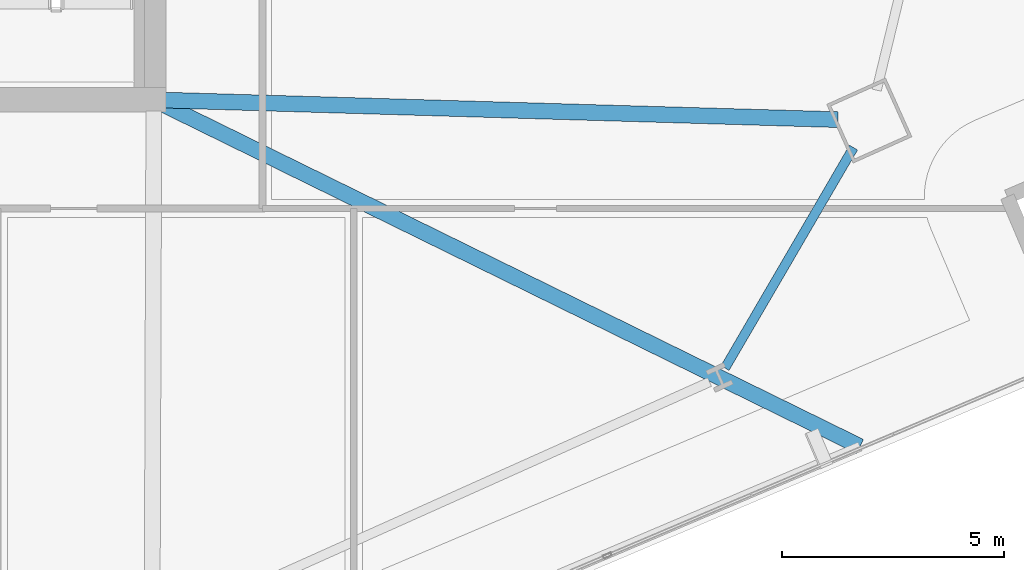
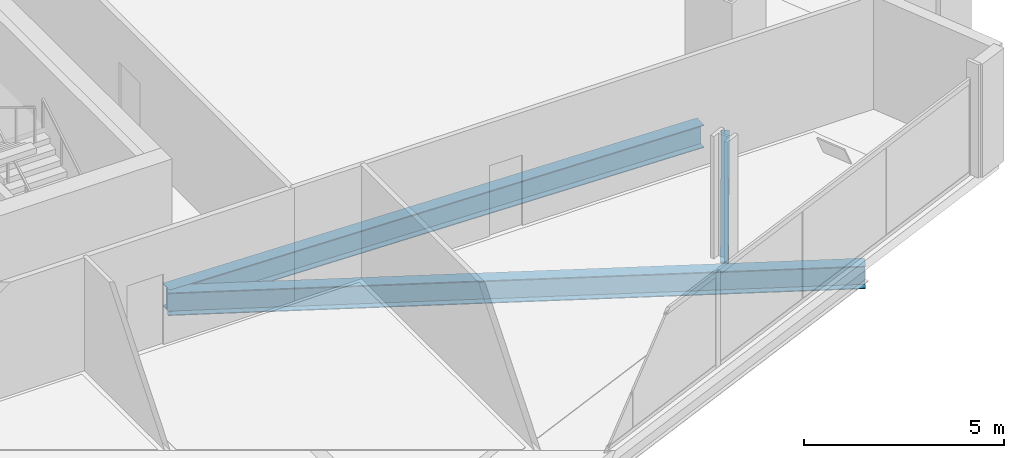
# One storey, part 11 of 34: 3 beams.
"""IFC4 building model written with IfcOpenShell, lengths in metres."""

from ifc_helpers import new_model, si_unit, direction, frame, origin, origin_2d, place, context, subcontext, project, spatial, i_section, extrude, material, material_profile, profile_set, type_object, element, save


model = new_model("IFC4")

# Units and contexts
model_context = context("Model", 3, precision=1e-05, world=origin(), true_north=direction((0.0, 1.0)))
body_context = subcontext(model_context, "Body", "Model", "MODEL_VIEW")
ifc_project = project(units=[si_unit("LENGTHUNIT", "METRE"), si_unit("AREAUNIT", "SQUARE_METRE"), si_unit("VOLUMEUNIT", "CUBIC_METRE"), si_unit("PLANEANGLEUNIT", "RADIAN"), si_unit("MASSUNIT", "GRAM", prefix="KILO")], contexts=[model_context])

# Site, building, storey
site_placement = place(None, origin())
site = spatial("IfcSite", under=ifc_project, at=site_placement, CompositionType="ELEMENT")
building_placement = place(site_placement, origin())
building = spatial("IfcBuilding", under=site, at=building_placement, Name="Haldenkirk Collegiate Tower", CompositionType="ELEMENT")
storey_placement = place(building_placement, frame((0.0, 0.0, 105.449951171875)))
storey = spatial("IfcBuildingStorey", under=building, at=storey_placement, Name="L25", CompositionType="ELEMENT", Elevation=105.449951171875)

# Beams
ifc_material = material(Name="Steel ASTM A992 Grade 50", Category="steel")
ifc_material_profile_1 = material_profile(ifc_material, i_section(OverallWidth=0.35498046875, OverallDepth=0.696044921875, WebThickness=0.015380859375, FlangeThickness=0.02490234375, at=origin_2d()), Name="W27X146")
ifc_profile_set_1 = profile_set([ifc_material_profile_1], Name="Steel ASTM A992 Grade 50")
beam_type_1 = type_object("IfcBeamType", Name="BM-GIRDER-W27X146", PredefinedType="BEAM", material=ifc_profile_set_1)
beam_1_placement = place(storey_placement, frame((60.4072265625, 17.55322265625, -0.64794921875), z_axis=(-0.999579697841, 0.028990130448, 0.0), x_axis=(-0.028990130448, -0.999579697841, 0.0)))
element("IfcBeam", 1, at=beam_1_placement, inside=storey, type_object=beam_type_1, Name="L25 primary floor girder 02", PredefinedType="BEAM", context=body_context, shape_type="SweptSolid", body=[
    extrude(i_section(OverallWidth=0.35498046875, OverallDepth=0.696044921875, WebThickness=0.015380859375, FlangeThickness=0.02490234375, at=origin_2d()), origin(), (0.0, 0.0, 1.0), 15.15869140625),
])
beam_2_placement = place(storey_placement, frame((60.901611328125, 10.193115234375, -0.64794921875), z_axis=(-0.897650512706, 0.440708017898, 0.0), x_axis=(-0.440708017898, -0.897650512706, 0.0)))
element("IfcBeam", 2, at=beam_2_placement, inside=storey, type_object=beam_type_1, Name="L25 primary floor girder 07", PredefinedType="BEAM", context=body_context, shape_type="SweptSolid", body=[
    extrude(i_section(OverallWidth=0.35498046875, OverallDepth=0.696044921875, WebThickness=0.015380859375, FlangeThickness=0.02490234375, at=origin_2d()), origin(), (0.0, 0.0, 1.0), 17.45947265625),
])
ifc_material_profile_2 = material_profile(ifc_material, i_section(OverallWidth=0.2119140625, OverallDepth=0.5439453125, WebThickness=0.01318359375, FlangeThickness=0.021240234375, at=origin_2d()), Name="W21X83")
ifc_profile_set_2 = profile_set([ifc_material_profile_2], Name="Steel ASTM A992 Grade 50")
beam_type_2 = type_object("IfcBeamType", Name="BM-SPANDREL-W21X83", PredefinedType="SPANDREL", material=ifc_profile_set_2)
beam_3_placement = place(storey_placement, frame((57.86181640625, 11.958251953125, -0.572021484375), z_axis=(0.503667660107, 0.863897498643, 0.0), x_axis=(-0.863897498643, 0.503667660107, 0.0)))
element("IfcBeam", 3, at=beam_3_placement, inside=storey, type_object=beam_type_2, Name="L25 perimeter spandrel beam 04", PredefinedType="SPANDREL", context=body_context, shape_type="SweptSolid", body=[
    extrude(i_section(OverallWidth=0.2119140625, OverallDepth=0.5439453125, WebThickness=0.01318359375, FlangeThickness=0.021240234375, at=origin_2d()), origin(), (0.0, 0.0, 1.0), 5.747802734375),
])

save(model, "model.ifc")
